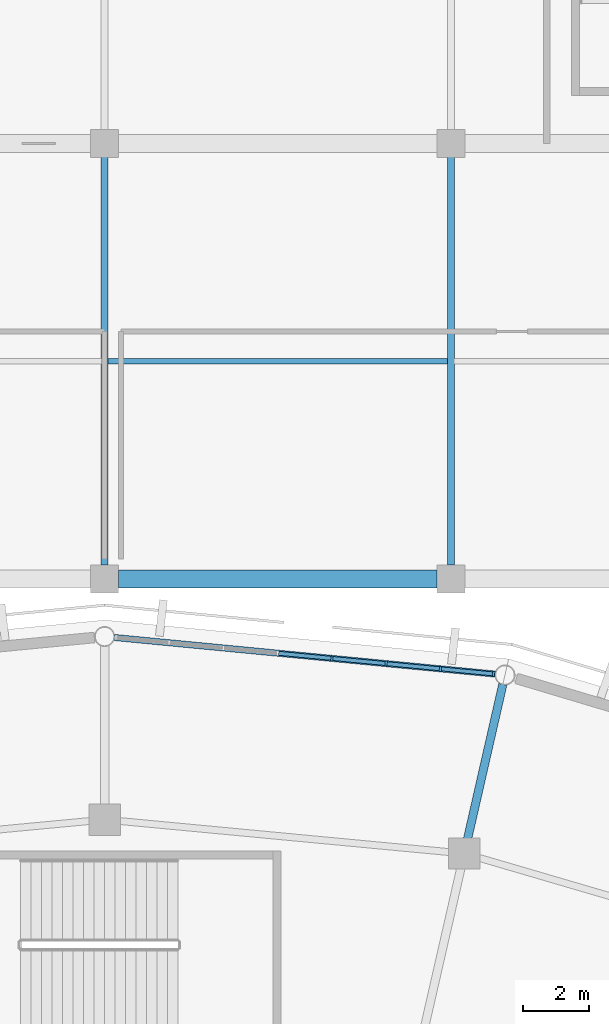
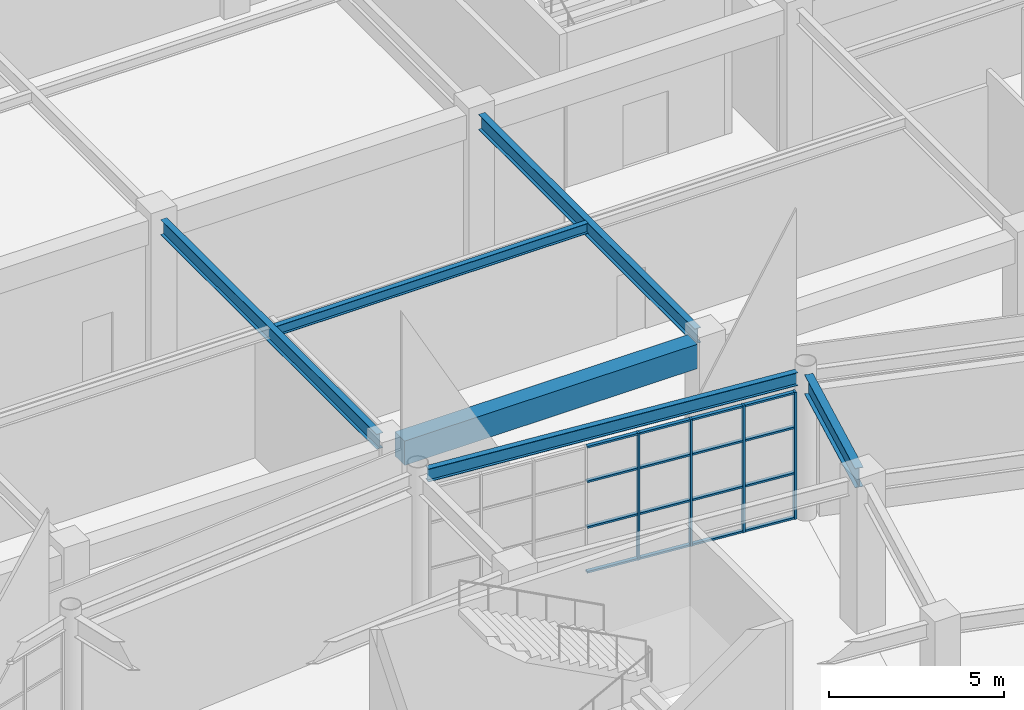
# One storey, part 42 of 120: 20 members, 6 beams, 1 element without a shape of its own.
"""IFC4 building model written with IfcOpenShell, lengths in metres."""

from ifc_helpers import new_model, si_unit, direction, frame, origin, origin_2d, place, context, subcontext, project, spatial, rectangle, i_section, extrude, material, material_profile, profile_set, type_object, element, aggregate, save


model = new_model("IFC4")

# Units and contexts
model_context = context("Model", 3, precision=1e-05, world=origin(), true_north=direction((0.0, 1.0)))
body_context = subcontext(model_context, "Body", "Model", "MODEL_VIEW")
ifc_project = project(units=[si_unit("LENGTHUNIT", "METRE"), si_unit("AREAUNIT", "SQUARE_METRE"), si_unit("VOLUMEUNIT", "CUBIC_METRE"), si_unit("PLANEANGLEUNIT", "RADIAN"), si_unit("MASSUNIT", "GRAM", prefix="KILO")], contexts=[model_context])

# Site, building, storey
site_placement = place(None, origin())
site = spatial("IfcSite", under=ifc_project, at=site_placement, CompositionType="ELEMENT")
building_placement = place(site_placement, origin())
building = spatial("IfcBuilding", under=site, at=building_placement, Name="Cuetzalor Civic Arena", CompositionType="ELEMENT")
storey_placement = place(building_placement, frame((0.0, 0.0, 6.0)))
storey = spatial("IfcBuildingStorey", under=building, at=storey_placement, Name="L01", CompositionType="ELEMENT", Elevation=6.0)

# Beam
ifc_material_1 = material(Name="Concrete C40/50", Category="concrete")
ifc_material_profile_1 = material_profile(ifc_material_1, rectangle(XDim=0.550048828125, YDim=0.85009765625, at=origin_2d()), Name="RC 550x850")
ifc_profile_set_1 = profile_set([ifc_material_profile_1], Name="Concrete C40/50")
beam_type_1 = type_object("IfcBeamType", Name="ConcreteFrameBeam_550x850", PredefinedType="BEAM", material=ifc_profile_set_1)
beam_1_placement = place(storey_placement, frame((0.4150390625, 48.300048828125, 4.655029296875), z_axis=(1.0, 0.0, 0.0), x_axis=(0.0, 1.0, 0.0)))
element("IfcBeam", 1, at=beam_1_placement, inside=storey, type_object=beam_type_1, Name="Frame Girder V5-L01-X0514", PredefinedType="BEAM", context=body_context, shape_type="SweptSolid", body=[
    extrude(rectangle(XDim=0.550048828125, YDim=0.85009765625, at=origin_2d()), origin(), (0.0, 0.0, 1.0), 9.669921875),
])

# Curtain wall, members
ifc_material_2 = material(Name="Anodised dark bronze aluminium and low-E solar glass", Category="aluminium")
curtain_wall_type = type_object("IfcCurtainWallType", Name="UnitisedCW_11550x4450", PredefinedType="USERDEFINED", material=ifc_material_2)
curtain_wall_placement = place(storey_placement, origin())
curtain_wall = element("IfcCurtainWall", 2, at=curtain_wall_placement, inside=storey, type_object=curtain_wall_type, Name="Drum Triangle Foyer Curtain Wall L01-023", ObjectType="UNITISED CURTAIN WALL", PredefinedType="USERDEFINED")
ifc_material_3 = material(Name="Anodised dark bronze aluminium", Category="aluminium")
ifc_material_profile_2 = material_profile(ifc_material_3, rectangle(XDim=0.06494140625, YDim=0.14990234375, at=origin_2d()), Name="ALU MULLION 65x150")
ifc_profile_set_2 = profile_set([ifc_material_profile_2], Name="Anodised dark bronze aluminium")
member_type_1 = type_object("IfcMemberType", Name="CurtainWallMullion_60x150", PredefinedType="MULLION", material=ifc_profile_set_2)
member_1_placement = place(storey_placement, frame((6.8916015625, 45.887451171875, 0.0), z_axis=(0.0, 0.0, 1.0), x_axis=(0.995409139996, -0.095711253324, 0.0)))
member_1 = element("IfcMember", 3, at=member_1_placement, type_object=member_type_1, Name="CW-08 mullion 5", PredefinedType="MULLION", context=body_context, shape_type="SweptSolid", body=[
    extrude(rectangle(XDim=0.06494140625, YDim=0.14990234375, at=origin_2d()), origin(), (0.0, 0.0, 1.0), 4.431884765625),
])
member_2_placement = place(storey_placement, frame((8.5361328125, 45.729248046875, 0.0), z_axis=(0.0, 0.0, 1.0), x_axis=(0.995409139996, -0.095711253324, 0.0)))
member_2 = element("IfcMember", 4, at=member_2_placement, type_object=member_type_1, Name="CW-08 mullion 6", PredefinedType="MULLION", context=body_context, shape_type="SweptSolid", body=[
    extrude(rectangle(XDim=0.06494140625, YDim=0.14990234375, at=origin_2d()), origin(), (0.0, 0.0, 1.0), 4.431884765625),
])
member_3_placement = place(storey_placement, frame((10.1806640625, 45.571044921875, 0.0), z_axis=(0.0, 0.0, 1.0), x_axis=(0.995409139996, -0.095711253324, 0.0)))
member_3 = element("IfcMember", 5, at=member_3_placement, type_object=member_type_1, Name="CW-08 mullion 7", PredefinedType="MULLION", context=body_context, shape_type="SweptSolid", body=[
    extrude(rectangle(XDim=0.06494140625, YDim=0.14990234375, at=origin_2d()), origin(), (0.0, 0.0, 1.0), 4.431884765625),
])
member_4_placement = place(storey_placement, frame((11.79296875, 45.416015625, 0.0), z_axis=(0.0, 0.0, 1.0), x_axis=(0.995409139996, -0.095711253324, 0.0)))
member_4 = element("IfcMember", 6, at=member_4_placement, type_object=member_type_1, Name="CW-08 mullion 8", PredefinedType="MULLION", context=body_context, shape_type="SweptSolid", body=[
    extrude(rectangle(XDim=0.06494140625, YDim=0.14990234375, at=origin_2d()), origin(), (0.0, 0.0, 1.0), 4.431884765625),
])
ifc_material_4 = material(Name="Anodised dark bronze aluminium", Category="aluminium")
ifc_material_profile_3 = material_profile(ifc_material_4, rectangle(XDim=0.1201171875, YDim=0.06494140625, at=origin_2d()), Name="ALU TRANSOM 65x120")
ifc_profile_set_3 = profile_set([ifc_material_profile_3], Name="Anodised dark bronze aluminium")
member_type_2 = type_object("IfcMemberType", Name="CurtainWallTransom_60x120", PredefinedType="USERDEFINED", material=ifc_profile_set_3)
member_5_placement = place(storey_placement, frame((5.279296875, 46.04248046875, 0.032470703125), z_axis=(0.9953974667, -0.095832579471, 0.0), x_axis=(0.095832579471, 0.9953974667, 0.0)))
member_5 = element("IfcMember", 7, at=member_5_placement, type_object=member_type_2, Name="CW-08 transom 4.1", ObjectType="TRANSOM", PredefinedType="USERDEFINED", context=body_context, shape_type="SweptSolid", body=[
    extrude(rectangle(XDim=0.1201171875, YDim=0.06494140625, at=origin_2d()), origin(), (0.0, 0.0, 1.0), 1.587158203125),
])
member_6_placement = place(storey_placement, frame((5.279296875, 46.04248046875, 1.595947265625), z_axis=(0.9953974667, -0.095832579471, 0.0), x_axis=(0.095832579471, 0.9953974667, 0.0)))
member_6 = element("IfcMember", 8, at=member_6_placement, type_object=member_type_2, Name="CW-08 transom 4.2", ObjectType="TRANSOM", PredefinedType="USERDEFINED", context=body_context, shape_type="SweptSolid", body=[
    extrude(rectangle(XDim=0.1201171875, YDim=0.06494140625, at=origin_2d()), origin(), (0.0, 0.0, 1.0), 1.587158203125),
])
member_7_placement = place(storey_placement, frame((5.279296875, 46.04248046875, 3.19091796875), z_axis=(0.9953974667, -0.095832579471, 0.0), x_axis=(0.095832579471, 0.9953974667, 0.0)))
member_7 = element("IfcMember", 9, at=member_7_placement, type_object=member_type_2, Name="CW-08 transom 4.3", ObjectType="TRANSOM", PredefinedType="USERDEFINED", context=body_context, shape_type="SweptSolid", body=[
    extrude(rectangle(XDim=0.1201171875, YDim=0.06494140625, at=origin_2d()), origin(), (0.0, 0.0, 1.0), 1.587158203125),
])
member_8_placement = place(storey_placement, frame((5.279296875, 46.04248046875, 4.3994140625), z_axis=(0.9953974667, -0.095832579471, 0.0), x_axis=(0.095832579471, 0.9953974667, 0.0)))
member_8 = element("IfcMember", 10, at=member_8_placement, type_object=member_type_2, Name="CW-08 transom 4.4", ObjectType="TRANSOM", PredefinedType="USERDEFINED", context=body_context, shape_type="SweptSolid", body=[
    extrude(rectangle(XDim=0.1201171875, YDim=0.06494140625, at=origin_2d()), origin(), (0.0, 0.0, 1.0), 1.587158203125),
])
member_9_placement = place(storey_placement, frame((6.923828125, 45.88427734375, 0.032470703125), z_axis=(0.995412128785, -0.095680164442, 0.0), x_axis=(0.095680164442, 0.995412128785, 0.0)))
member_9 = element("IfcMember", 11, at=member_9_placement, type_object=member_type_2, Name="CW-08 transom 5.1", ObjectType="TRANSOM", PredefinedType="USERDEFINED", context=body_context, shape_type="SweptSolid", body=[
    extrude(rectangle(XDim=0.1201171875, YDim=0.06494140625, at=origin_2d()), origin(), (0.0, 0.0, 1.0), 1.587158203125),
])
member_10_placement = place(storey_placement, frame((6.923828125, 45.88427734375, 1.595947265625), z_axis=(0.995412128785, -0.095680164442, 0.0), x_axis=(0.095680164442, 0.995412128785, 0.0)))
member_10 = element("IfcMember", 12, at=member_10_placement, type_object=member_type_2, Name="CW-08 transom 5.2", ObjectType="TRANSOM", PredefinedType="USERDEFINED", context=body_context, shape_type="SweptSolid", body=[
    extrude(rectangle(XDim=0.1201171875, YDim=0.06494140625, at=origin_2d()), origin(), (0.0, 0.0, 1.0), 1.587158203125),
])
member_11_placement = place(storey_placement, frame((6.923828125, 45.88427734375, 3.19091796875), z_axis=(0.995412128785, -0.095680164442, 0.0), x_axis=(0.095680164442, 0.995412128785, 0.0)))
member_11 = element("IfcMember", 13, at=member_11_placement, type_object=member_type_2, Name="CW-08 transom 5.3", ObjectType="TRANSOM", PredefinedType="USERDEFINED", context=body_context, shape_type="SweptSolid", body=[
    extrude(rectangle(XDim=0.1201171875, YDim=0.06494140625, at=origin_2d()), origin(), (0.0, 0.0, 1.0), 1.587158203125),
])
member_12_placement = place(storey_placement, frame((6.923828125, 45.88427734375, 4.3994140625), z_axis=(0.995412128785, -0.095680164442, 0.0), x_axis=(0.095680164442, 0.995412128785, 0.0)))
member_12 = element("IfcMember", 14, at=member_12_placement, type_object=member_type_2, Name="CW-08 transom 5.4", ObjectType="TRANSOM", PredefinedType="USERDEFINED", context=body_context, shape_type="SweptSolid", body=[
    extrude(rectangle(XDim=0.1201171875, YDim=0.06494140625, at=origin_2d()), origin(), (0.0, 0.0, 1.0), 1.587158203125),
])
member_13_placement = place(storey_placement, frame((8.568359375, 45.72607421875, 0.032470703125), z_axis=(0.995412128785, -0.095680164442, 0.0), x_axis=(0.095680164442, 0.995412128785, 0.0)))
member_13 = element("IfcMember", 15, at=member_13_placement, type_object=member_type_2, Name="CW-08 transom 6.1", ObjectType="TRANSOM", PredefinedType="USERDEFINED", context=body_context, shape_type="SweptSolid", body=[
    extrude(rectangle(XDim=0.1201171875, YDim=0.06494140625, at=origin_2d()), origin(), (0.0, 0.0, 1.0), 1.587158203125),
])
member_14_placement = place(storey_placement, frame((8.568359375, 45.72607421875, 1.595947265625), z_axis=(0.995412128785, -0.095680164442, 0.0), x_axis=(0.095680164442, 0.995412128785, 0.0)))
member_14 = element("IfcMember", 16, at=member_14_placement, type_object=member_type_2, Name="CW-08 transom 6.2", ObjectType="TRANSOM", PredefinedType="USERDEFINED", context=body_context, shape_type="SweptSolid", body=[
    extrude(rectangle(XDim=0.1201171875, YDim=0.06494140625, at=origin_2d()), origin(), (0.0, 0.0, 1.0), 1.587158203125),
])
member_15_placement = place(storey_placement, frame((8.568359375, 45.72607421875, 3.19091796875), z_axis=(0.995412128785, -0.095680164442, 0.0), x_axis=(0.095680164442, 0.995412128785, 0.0)))
member_15 = element("IfcMember", 17, at=member_15_placement, type_object=member_type_2, Name="CW-08 transom 6.3", ObjectType="TRANSOM", PredefinedType="USERDEFINED", context=body_context, shape_type="SweptSolid", body=[
    extrude(rectangle(XDim=0.1201171875, YDim=0.06494140625, at=origin_2d()), origin(), (0.0, 0.0, 1.0), 1.587158203125),
])
member_16_placement = place(storey_placement, frame((8.568359375, 45.72607421875, 4.3994140625), z_axis=(0.995412128785, -0.095680164442, 0.0), x_axis=(0.095680164442, 0.995412128785, 0.0)))
member_16 = element("IfcMember", 18, at=member_16_placement, type_object=member_type_2, Name="CW-08 transom 6.4", ObjectType="TRANSOM", PredefinedType="USERDEFINED", context=body_context, shape_type="SweptSolid", body=[
    extrude(rectangle(XDim=0.1201171875, YDim=0.06494140625, at=origin_2d()), origin(), (0.0, 0.0, 1.0), 1.587158203125),
])
member_17_placement = place(storey_placement, frame((10.212890625, 45.568115234375, 0.032470703125), z_axis=(0.995401833719, -0.095787209113, 0.0), x_axis=(0.095787209113, 0.995401833719, 0.0)))
member_17 = element("IfcMember", 19, at=member_17_placement, type_object=member_type_2, Name="CW-08 transom 7.1", ObjectType="TRANSOM", PredefinedType="USERDEFINED", context=body_context, shape_type="SweptSolid", body=[
    extrude(rectangle(XDim=0.1201171875, YDim=0.06494140625, at=origin_2d()), origin(), (0.0, 0.0, 1.0), 1.5546875),
])
member_18_placement = place(storey_placement, frame((10.212890625, 45.568115234375, 1.595947265625), z_axis=(0.995401833719, -0.095787209113, 0.0), x_axis=(0.095787209113, 0.995401833719, 0.0)))
member_18 = element("IfcMember", 20, at=member_18_placement, type_object=member_type_2, Name="CW-08 transom 7.2", ObjectType="TRANSOM", PredefinedType="USERDEFINED", context=body_context, shape_type="SweptSolid", body=[
    extrude(rectangle(XDim=0.1201171875, YDim=0.06494140625, at=origin_2d()), origin(), (0.0, 0.0, 1.0), 1.5546875),
])
member_19_placement = place(storey_placement, frame((10.212890625, 45.568115234375, 3.19091796875), z_axis=(0.995401833719, -0.095787209113, 0.0), x_axis=(0.095787209113, 0.995401833719, 0.0)))
member_19 = element("IfcMember", 21, at=member_19_placement, type_object=member_type_2, Name="CW-08 transom 7.3", ObjectType="TRANSOM", PredefinedType="USERDEFINED", context=body_context, shape_type="SweptSolid", body=[
    extrude(rectangle(XDim=0.1201171875, YDim=0.06494140625, at=origin_2d()), origin(), (0.0, 0.0, 1.0), 1.5546875),
])
member_20_placement = place(storey_placement, frame((10.212890625, 45.568115234375, 4.3994140625), z_axis=(0.995401833719, -0.095787209113, 0.0), x_axis=(0.095787209113, 0.995401833719, 0.0)))
member_20 = element("IfcMember", 22, at=member_20_placement, type_object=member_type_2, Name="CW-08 transom 7.4", ObjectType="TRANSOM", PredefinedType="USERDEFINED", context=body_context, shape_type="SweptSolid", body=[
    extrude(rectangle(XDim=0.1201171875, YDim=0.06494140625, at=origin_2d()), origin(), (0.0, 0.0, 1.0), 1.5546875),
])
aggregate(curtain_wall, [member_1, member_2, member_3, member_4, member_5, member_6, member_7, member_8, member_9, member_10, member_11, member_12, member_13, member_14, member_15, member_16, member_17, member_18, member_19, member_20])

# Beams
ifc_material_5 = material(Name="Steel S355", Category="steel")
ifc_material_profile_4 = material_profile(ifc_material_5, i_section(OverallWidth=0.18994140625, OverallDepth=0.45703125, WebThickness=0.009033203125, FlangeThickness=0.014404296875, at=origin_2d()), Name="W460x74")
ifc_profile_set_4 = profile_set([ifc_material_profile_4], Name="Steel S355")
beam_type_2 = type_object("IfcBeamType", Name="FacadeSpandrelBeam_W460", PredefinedType="SPANDREL", material=ifc_profile_set_4)
beam_2_placement = place(storey_placement, frame((11.849853515625, 45.41064453125, 4.8916015625), z_axis=(-0.995409568272, 0.095706799095, 0.0), x_axis=(-0.095706799095, -0.995409568272, 0.0)))
element("IfcBeam", 23, at=beam_2_placement, inside=storey, type_object=beam_type_2, Name="Drum Perimeter Spandrel L01-S07", PredefinedType="SPANDREL", context=body_context, shape_type="SweptSolid", body=[
    extrude(i_section(OverallWidth=0.18994140625, OverallDepth=0.45703125, WebThickness=0.009033203125, FlangeThickness=0.014404296875, at=origin_2d()), origin(), (0.0, 0.0, 1.0), 11.6142578125),
])
ifc_material_6 = material(Name="Steel S355", Category="steel")
ifc_material_profile_5 = material_profile(ifc_material_6, i_section(OverallWidth=0.1708984375, OverallDepth=0.35498046875, WebThickness=0.007080078125, FlangeThickness=0.01171875, at=origin_2d()), Name="W360x51")
ifc_profile_set_5 = profile_set([ifc_material_profile_5], Name="Steel S355")
beam_type_3 = type_object("IfcBeamType", Name="SecondaryFloorJoist_W360", PredefinedType="JOIST", material=ifc_profile_set_5)
beam_3_placement = place(storey_placement, frame((0.096435546875, 54.89990234375, 4.902587890625), z_axis=(1.0, 0.0, 0.0), x_axis=(0.0, 1.0, 0.0)))
element("IfcBeam", 24, at=beam_3_placement, inside=storey, type_object=beam_type_3, Name="Secondary Floor Joist V5-L01-0167", PredefinedType="JOIST", context=body_context, shape_type="SweptSolid", body=[
    extrude(i_section(OverallWidth=0.1708984375, OverallDepth=0.35498046875, WebThickness=0.007080078125, FlangeThickness=0.01171875, at=origin_2d()), origin(), (0.0, 0.0, 1.0), 10.30712890625),
])
ifc_material_7 = material(Name="Steel S355", Category="steel")
ifc_material_profile_6 = material_profile(ifc_material_7, i_section(OverallWidth=0.208984375, OverallDepth=0.532958984375, WebThickness=0.01025390625, FlangeThickness=0.015625, at=origin_2d()), Name="W530x92")
ifc_profile_set_6 = profile_set([ifc_material_profile_6], Name="Steel S355")
beam_type_4 = type_object("IfcBeamType", Name="SteelCollarGirder_W530", PredefinedType="BEAM", material=ifc_profile_set_6)
for number, where, z_axis, x_axis, name in (
    (25, (0.0, 48.715087890625, 4.8134765625), (0.0, 1.0, 0.0), (-1.0, 0.0, 0.0), "Frame Girder V5-L01-Y0557"),
    (26, (10.5, 48.715087890625, 4.8134765625), (0.0, 1.0, 0.0), (-1.0, 0.0, 0.0), "Frame Girder V5-L01-Y0559"),
):
    element("IfcBeam", number, at=place(storey_placement, frame(where, z_axis=z_axis, x_axis=x_axis)), inside=storey, type_object=beam_type_4, Name=name, PredefinedType="BEAM", context=body_context, shape_type="SweptSolid", body=[
        extrude(i_section(OverallWidth=0.208984375, OverallDepth=0.532958984375, WebThickness=0.01025390625, FlangeThickness=0.015625, at=origin_2d()), origin(), (0.0, 0.0, 1.0), 12.369873046875),
    ])
ifc_material_8 = material(Name="Steel S355", Category="steel")
ifc_material_profile_7 = material_profile(ifc_material_8, i_section(OverallWidth=0.2529296875, OverallDepth=0.677978515625, WebThickness=0.01171875, FlangeThickness=0.016357421875, at=origin_2d()), Name="W690x125")
ifc_profile_set_7 = profile_set([ifc_material_profile_7], Name="Steel S355")
beam_type_5 = type_object("IfcBeamType", Name="SteelPrimaryGirder_W690", PredefinedType="BEAM", material=ifc_profile_set_7)
beam_4_placement = place(storey_placement, frame((10.983642578125, 40.322998046875, 4.781005859375), z_axis=(0.222519036633, 0.974928345231, 0.0), x_axis=(-0.974928345231, 0.222519036633, 0.0)))
element("IfcBeam", 27, at=beam_4_placement, inside=storey, type_object=beam_type_5, Name="Drum Radial Girder L01-R07", PredefinedType="BEAM", context=body_context, shape_type="SweptSolid", body=[
    extrude(i_section(OverallWidth=0.2529296875, OverallDepth=0.677978515625, WebThickness=0.01171875, FlangeThickness=0.016357421875, at=origin_2d()), origin(), (0.0, 0.0, 1.0), 4.89990234375),
])

save(model, "model.ifc")
